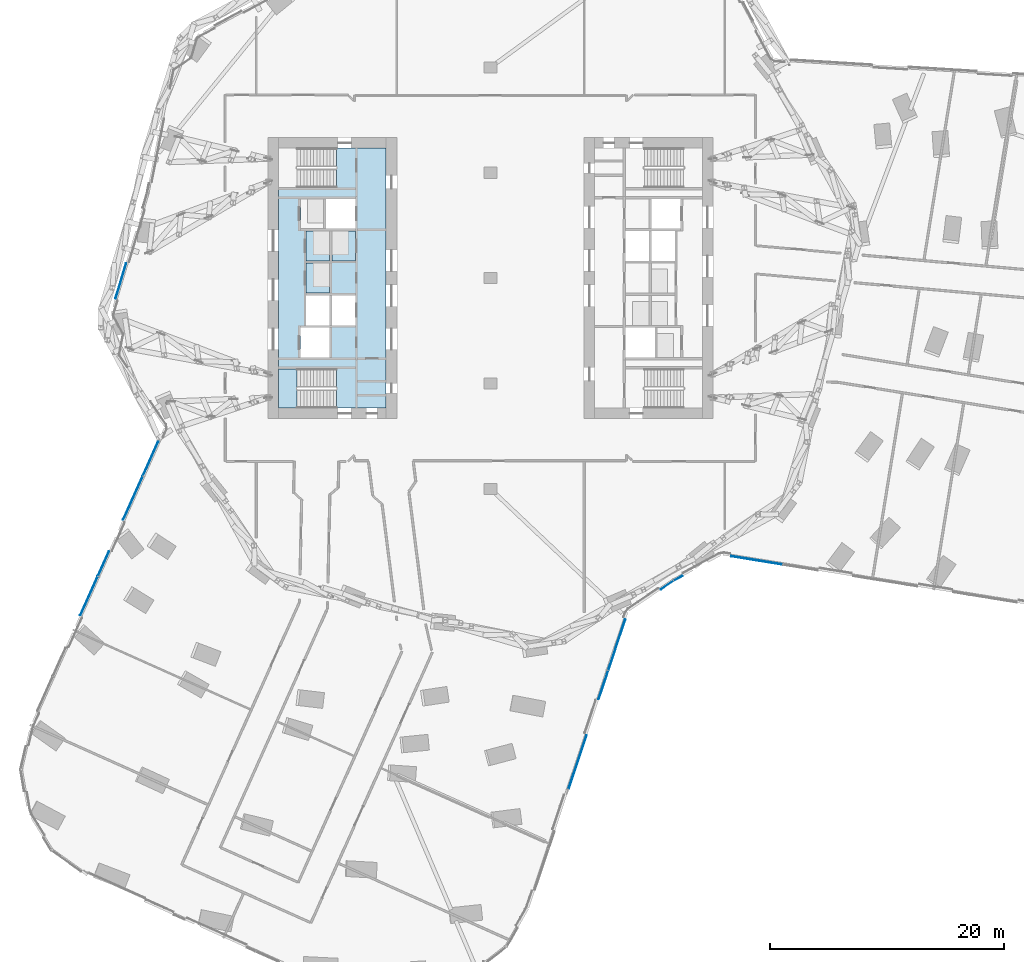
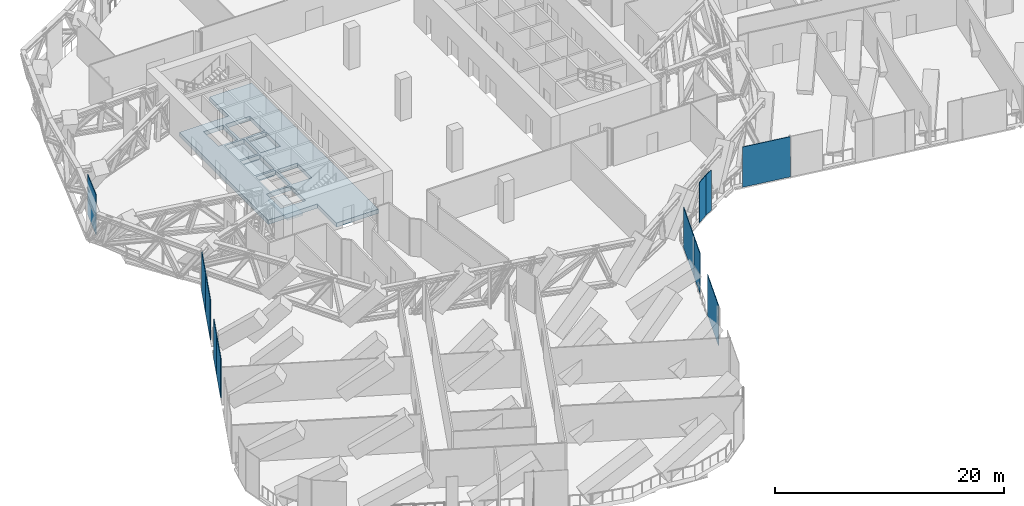
# One storey, part 22 of 39: 11 plates, 5 slabs, 7 elements without a shape of their own.
"""IFC4 building model written with IfcOpenShell, lengths in metres."""

from ifc_helpers import new_model, si_unit, direction, frame, origin, origin_2d, place, context, subcontext, project, spatial, polyline, rectangle, outline, extrude, material, layer, layer_set, type_object, element, aggregate, save


model = new_model("IFC4")

# Units and contexts
model_context = context("Model", 3, precision=1e-05, world=origin(), true_north=direction((0.0, 1.0)))
body_context = subcontext(model_context, "Body", "Model", "MODEL_VIEW")
ifc_project = project(units=[si_unit("LENGTHUNIT", "METRE"), si_unit("AREAUNIT", "SQUARE_METRE"), si_unit("VOLUMEUNIT", "CUBIC_METRE"), si_unit("PLANEANGLEUNIT", "RADIAN"), si_unit("MASSUNIT", "GRAM", prefix="KILO")], contexts=[model_context])

# Site, building, storey
site_placement = place(None, origin())
site = spatial("IfcSite", under=ifc_project, at=site_placement, CompositionType="ELEMENT")
building_placement = place(site_placement, origin())
building = spatial("IfcBuilding", under=site, at=building_placement, Name="Orlundy Tower", CompositionType="ELEMENT")
storey_placement = place(building_placement, frame((0.0, 0.0, 141.199951171875)))
storey = spatial("IfcBuildingStorey", under=building, at=storey_placement, Name="L36", CompositionType="ELEMENT", Elevation=141.199951171875)

# Curtain wall, plates
ifc_material_1 = material(Name="Aluminium bronze anodised", Category="aluminium")
curtain_wall_type = type_object("IfcCurtainWallType", Name="CW4 wall", PredefinedType="NOTDEFINED", material=ifc_material_1)
curtain_wall_1_placement = place(storey_placement, origin())
curtain_wall_1 = element("IfcCurtainWall", 1, at=curtain_wall_1_placement, inside=storey, type_object=curtain_wall_type, Name="CW4 run 00", PredefinedType="NOTDEFINED")
ifc_material_2 = material(Name="Louvre aluminium bronze anodised", Category="aluminium")
ifc_layer_1 = layer(ifc_material_2, 0.06005859375)
ifc_layer_set_1 = layer_set([ifc_layer_1], Name="CW4 louvre panel 60")
plate_type = type_object("IfcPlateType", Name="CW4 louvre panel 60", PredefinedType="CURTAIN_PANEL", material=ifc_layer_set_1)
plate_1_placement = place(storey_placement, frame((10.79248046875, -31.310791015625, -0.2998046875), z_axis=(0.0, 0.0, 1.0), x_axis=(-0.317314020344, -0.948320522025, 0.0)))
plate_1 = element("IfcPlate", 2, at=plate_1_placement, type_object=plate_type, Name="CW4 louvre", PredefinedType="CURTAIN_PANEL", context=body_context, shape_type="SweptSolid", body=[
    extrude(rectangle(XDim=4.548583984375, YDim=0.06005859375, at=origin_2d()), origin(), (0.0, 0.0, 1.0), 4.300048828125),
])
plate_2_placement = place(storey_placement, frame((9.643798828125, -34.744384765625, -0.2998046875), z_axis=(0.0, 0.0, 1.0), x_axis=(-0.317314020344, -0.948320522025, 0.0)))
plate_2 = element("IfcPlate", 3, at=plate_2_placement, type_object=plate_type, Name="CW4 louvre", PredefinedType="CURTAIN_PANEL", context=body_context, shape_type="SweptSolid", body=[
    extrude(rectangle(XDim=2.57275390625, YDim=0.06005859375, at=origin_2d()), origin(), (0.0, 0.0, 1.0), 4.300048828125),
])
plate_3_placement = place(storey_placement, frame((7.438720703125, -41.333984375, -0.2998046875), z_axis=(0.0, 0.0, 1.0), x_axis=(-0.317314020344, -0.948320522025, 0.0)))
plate_3 = element("IfcPlate", 4, at=plate_3_placement, type_object=plate_type, Name="CW4 louvre", PredefinedType="CURTAIN_PANEL", context=body_context, shape_type="SweptSolid", body=[
    extrude(rectangle(XDim=4.8369140625, YDim=0.06005859375, at=origin_2d()), origin(), (0.0, 0.0, 1.0), 4.300048828125),
])
aggregate(curtain_wall_1, [plate_1, plate_2, plate_3])

curtain_wall_2_placement = place(storey_placement, origin())
curtain_wall_2 = element("IfcCurtainWall", 5, at=curtain_wall_2_placement, inside=storey, type_object=curtain_wall_type, Name="CW4 run 012", PredefinedType="NOTDEFINED")
plate_4_placement = place(storey_placement, frame((-34.283935546875, -27.13623046875, -0.2998046875), z_axis=(0.0, 0.0, 1.0), x_axis=(0.409404258912, 0.912353085589, 0.0)))
plate_4 = element("IfcPlate", 6, at=plate_4_placement, type_object=plate_type, Name="CW4 louvre", PredefinedType="CURTAIN_PANEL", context=body_context, shape_type="SweptSolid", body=[
    extrude(rectangle(XDim=3.632080078125, YDim=0.06005859375, at=origin_2d()), origin(), (0.0, 0.0, 1.0), 4.300048828125),
])
plate_5_placement = place(storey_placement, frame((-33.04736328125, -24.380615234375, -0.2998046875), z_axis=(0.0, 0.0, 1.0), x_axis=(0.409404258912, 0.912353085589, 0.0)))
plate_5 = element("IfcPlate", 7, at=plate_5_placement, type_object=plate_type, Name="CW4 louvre", PredefinedType="CURTAIN_PANEL", context=body_context, shape_type="SweptSolid", body=[
    extrude(rectangle(XDim=2.28857421875, YDim=0.06005859375, at=origin_2d()), origin(), (0.0, 0.0, 1.0), 4.300048828125),
])
plate_6_placement = place(storey_placement, frame((-30.536865234375, -18.785888671875, -0.2998046875), z_axis=(0.0, 0.0, 1.0), x_axis=(0.409404258912, 0.912353085589, 0.0)))
plate_6 = element("IfcPlate", 8, at=plate_6_placement, type_object=plate_type, Name="CW4 louvre", PredefinedType="CURTAIN_PANEL", context=body_context, shape_type="SweptSolid", body=[
    extrude(rectangle(XDim=4.063232421875, YDim=0.06005859375, at=origin_2d()), origin(), (0.0, 0.0, 1.0), 4.300048828125),
])
plate_7_placement = place(storey_placement, frame((-29.026123046875, -15.41943359375, -0.2998046875), z_axis=(0.0, 0.0, 1.0), x_axis=(0.409404258912, 0.912353085589, 0.0)))
plate_7 = element("IfcPlate", 9, at=plate_7_placement, type_object=plate_type, Name="CW4 louvre", PredefinedType="CURTAIN_PANEL", context=body_context, shape_type="SweptSolid", body=[
    extrude(rectangle(XDim=3.1962890625, YDim=0.06005859375, at=origin_2d()), origin(), (0.0, 0.0, 1.0), 4.300048828125),
])
aggregate(curtain_wall_2, [plate_4, plate_5, plate_6, plate_7])

# Curtain wall, plate
curtain_wall_3_placement = place(storey_placement, origin())
curtain_wall_3 = element("IfcCurtainWall", 10, at=curtain_wall_3_placement, inside=storey, type_object=curtain_wall_type, Name="CW4 run 016", PredefinedType="NOTDEFINED")
plate_8_placement = place(storey_placement, frame((-31.56298828125, -0.232421875, -0.2998046875), z_axis=(0.0, 0.0, 1.0), x_axis=(0.286853201931, 0.957974551093, 0.0)))
plate_8 = element("IfcPlate", 11, at=plate_8_placement, type_object=plate_type, Name="CW4 louvre", PredefinedType="CURTAIN_PANEL", context=body_context, shape_type="SweptSolid", body=[
    extrude(rectangle(XDim=3.153564453125, YDim=0.06005859375, at=origin_2d()), origin(), (0.0, 0.0, 1.0), 4.300048828125),
])
aggregate(curtain_wall_3, [plate_8])

curtain_wall_4_placement = place(storey_placement, origin())
curtain_wall_4 = element("IfcCurtainWall", 12, at=curtain_wall_4_placement, inside=storey, type_object=curtain_wall_type, Name="CW4 run 041", PredefinedType="NOTDEFINED")
plate_9_placement = place(storey_placement, frame((22.76123046875, -24.10400390625, -0.2998046875), z_axis=(0.0, 0.0, 1.0), x_axis=(-0.987228432558, 0.159311085453, 0.0)))
plate_9 = element("IfcPlate", 13, at=plate_9_placement, type_object=plate_type, Name="CW4 louvre", PredefinedType="CURTAIN_PANEL", context=body_context, shape_type="SweptSolid", body=[
    extrude(rectangle(XDim=4.4638671875, YDim=0.06005859375, at=origin_2d()), origin(), (0.0, 0.0, 1.0), 4.300048828125),
])
aggregate(curtain_wall_4, [plate_9])

curtain_wall_5_placement = place(storey_placement, origin())
curtain_wall_5 = element("IfcCurtainWall", 14, at=curtain_wall_5_placement, inside=storey, type_object=curtain_wall_type, Name="CW4 run 042", PredefinedType="NOTDEFINED")
plate_10_placement = place(storey_placement, frame((16.034912109375, -25.6298828125, -0.2998046875), z_axis=(0.0, 0.0, 1.0), x_axis=(-0.880214518572, -0.474576022672, 0.0)))
plate_10 = element("IfcPlate", 15, at=plate_10_placement, type_object=plate_type, Name="CW4 louvre", PredefinedType="CURTAIN_PANEL", context=body_context, shape_type="SweptSolid", body=[
    extrude(rectangle(XDim=0.852783203125, YDim=0.06005859375, at=origin_2d()), origin(), (0.0, 0.0, 1.0), 4.300048828125),
])
aggregate(curtain_wall_5, [plate_10])

curtain_wall_6_placement = place(storey_placement, origin())
curtain_wall_6 = element("IfcCurtainWall", 16, at=curtain_wall_6_placement, inside=storey, type_object=curtain_wall_type, Name="CW4 run 043", PredefinedType="NOTDEFINED")
plate_11_placement = place(storey_placement, frame((15.079833984375, -26.2197265625, -0.2998046875), z_axis=(0.0, 0.0, 1.0), x_axis=(-0.829031347096, -0.559202132982, 0.0)))
plate_11 = element("IfcPlate", 17, at=plate_11_placement, type_object=plate_type, Name="CW4 louvre", PredefinedType="CURTAIN_PANEL", context=body_context, shape_type="SweptSolid", body=[
    extrude(rectangle(XDim=1.2744140625, YDim=0.06005859375, at=origin_2d()), origin(), (0.0, 0.0, 1.0), 4.300048828125),
])
aggregate(curtain_wall_6, [plate_11])

# Slab
ifc_material_3 = material(Name="Concrete C50/60", Category="concrete")
ifc_layer_2 = layer(ifc_material_3, 0.449951171875)
ifc_layer_set_2 = layer_set([ifc_layer_2], Name="Core Floor Slab 450")
slab_type_1 = type_object("IfcSlabType", Name="Core Floor Slab 450", PredefinedType="FLOOR", material=ifc_layer_set_2)
slab_1_placement = place(storey_placement, frame((0.0, 0.0, -0.449951171875)))
element("IfcSlab", 18, at=slab_1_placement, inside=storey, type_object=slab_type_1, Name="Core floor W27", PredefinedType="FLOOR", context=body_context, shape_type="SweptSolid", body=[
    extrude(outline(polyline([(-18.10009765625, 7.75), (-13.14501953125, 7.75), (-13.14501953125, 11.10009765625), (-8.89990234375, 11.10009765625), (-8.89990234375, -11.10009765625), (-13.14501953125, -11.10009765625), (-13.14501953125, -7.75), (-18.10009765625, -7.75), (-18.10009765625, 7.75)]), holes=[polyline([(-16.239990234375, -4.22509765625), (-16.239990234375, -6.77490234375), (-13.739990234375, -6.77490234375), (-13.739990234375, -4.22509765625), (-16.239990234375, -4.22509765625)]), polyline([(-11.5400390625, -1.47509765625), (-13.5400390625, -1.47509765625), (-13.5400390625, -4.02490234375), (-11.5400390625, -4.02490234375), (-11.5400390625, -1.47509765625)]), polyline([(-13.739990234375, -4.02490234375), (-13.739990234375, -1.47509765625), (-15.739990234375, -1.47509765625), (-15.739990234375, -4.02490234375), (-13.739990234375, -4.02490234375)]), polyline([(-15.739990234375, -1.27490234375), (-13.739990234375, -1.27490234375), (-13.739990234375, 1.27490234375), (-15.739990234375, 1.27490234375), (-15.739990234375, -1.27490234375)]), polyline([(-13.5400390625, 4.02490234375), (-13.5400390625, 1.47509765625), (-11.5400390625, 1.47509765625), (-11.5400390625, 4.02490234375), (-13.5400390625, 4.02490234375)]), polyline([(-13.739990234375, 4.02490234375), (-15.739990234375, 4.02490234375), (-15.739990234375, 1.47509765625), (-13.739990234375, 1.47509765625), (-13.739990234375, 4.02490234375)]), polyline([(-11.5400390625, 4.22509765625), (-11.5400390625, 6.77490234375), (-14.0400390625, 6.77490234375), (-14.0400390625, 4.22509765625), (-11.5400390625, 4.22509765625)]), polyline([(-16.239990234375, 4.22509765625), (-14.239990234375, 4.22509765625), (-14.239990234375, 6.77490234375), (-16.239990234375, 6.77490234375), (-16.239990234375, 4.22509765625)])]), origin(), (0.0, 0.0, 1.0), 0.449951171875),
])

# Stair, slab
ifc_material_4 = material(Name="Concrete C50/60", Category="concrete")
stair_type = type_object("IfcStairType", Name="Exit Stair 26 risers", PredefinedType="HALF_TURN_STAIR", material=ifc_material_4)
stair_placement = place(storey_placement, origin())
stair = element("IfcStair", 19, at=stair_placement, inside=storey, type_object=stair_type, Name="L36 Exit Stair ST-W2", PredefinedType="HALF_TURN_STAIR")
ifc_material_5 = material(Name="Concrete C50/60", Category="concrete")
ifc_layer_3 = layer(ifc_material_5, 0.199951171875)
ifc_layer_set_3 = layer_set([ifc_layer_3], Name="Exit Stair Landing")
slab_type_2 = type_object("IfcSlabType", Name="Exit Stair Landing", PredefinedType="LANDING", material=ifc_layer_set_3)
slab_2_placement = place(storey_placement, frame((0.0, 0.0, 2.0)))
slab_2 = element("IfcSlab", 20, at=slab_2_placement, type_object=slab_type_2, Name="ST-W2 landing 1", PredefinedType="LANDING", context=body_context, shape_type="SweptSolid", body=[
    extrude(outline(polyline([(-16.5, -7.75), (-18.10009765625, -7.75), (-18.10009765625, -11.10009765625), (-16.5, -11.10009765625), (-16.5, -7.75)])), origin(), (0.0, 0.0, 1.0), 0.199951171875),
])
aggregate(stair, [slab_2])

# Slabs
ifc_material_6 = material(Name="Concrete C50/60", Category="concrete")
ifc_layer_4 = layer(ifc_material_6, 0.25)
ifc_layer_set_4 = layer_set([ifc_layer_4], Name="Lift Pit Slab")
slab_type_3 = type_object("IfcSlabType", Name="Lift Pit Slab", PredefinedType="BASESLAB", material=ifc_layer_set_4)
slab_3_placement = place(storey_placement, frame((0.0, 0.0, -0.75)))
element("IfcSlab", 21, at=slab_3_placement, inside=storey, type_object=slab_type_3, Name="Lift pit floor LP-11", PredefinedType="BASESLAB", context=body_context, shape_type="SweptSolid", body=[
    extrude(outline(polyline([(-13.739990234375, -1.27490234375), (-15.739990234375, -1.27490234375), (-15.739990234375, 1.27490234375), (-13.739990234375, 1.27490234375), (-13.739990234375, -1.27490234375)])), origin(), (0.0, 0.0, 1.0), 0.25),
])
slab_4_placement = place(storey_placement, frame((0.0, 0.0, -0.75)))
element("IfcSlab", 22, at=slab_4_placement, inside=storey, type_object=slab_type_3, Name="Lift pit floor LP-12", PredefinedType="BASESLAB", context=body_context, shape_type="SweptSolid", body=[
    extrude(outline(polyline([(-11.5400390625, 1.47509765625), (-13.5400390625, 1.47509765625), (-13.5400390625, 4.02490234375), (-11.5400390625, 4.02490234375), (-11.5400390625, 1.47509765625)])), origin(), (0.0, 0.0, 1.0), 0.25),
])
slab_5_placement = place(storey_placement, frame((0.0, 0.0, -0.75)))
element("IfcSlab", 23, at=slab_5_placement, inside=storey, type_object=slab_type_3, Name="Lift pit floor LP-13", PredefinedType="BASESLAB", context=body_context, shape_type="SweptSolid", body=[
    extrude(outline(polyline([(-13.739990234375, 1.47509765625), (-15.739990234375, 1.47509765625), (-15.739990234375, 4.02490234375), (-13.739990234375, 4.02490234375), (-13.739990234375, 1.47509765625)])), origin(), (0.0, 0.0, 1.0), 0.25),
])

save(model, "model.ifc")
